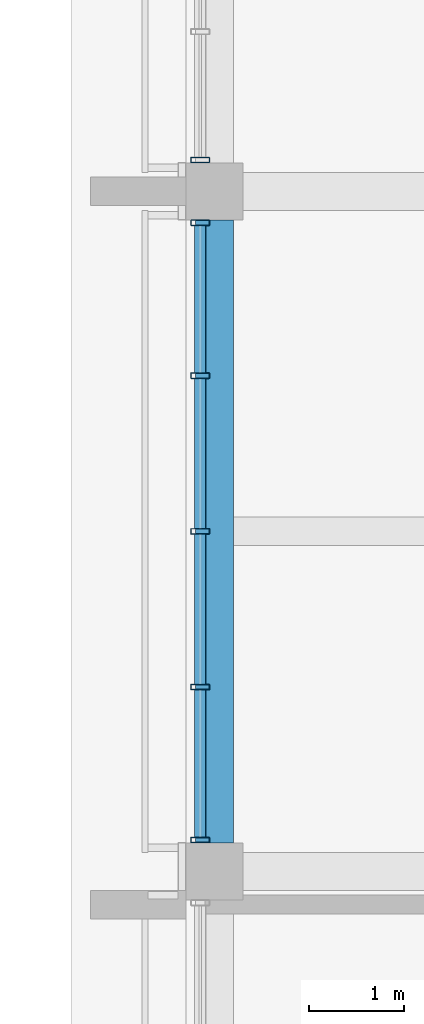
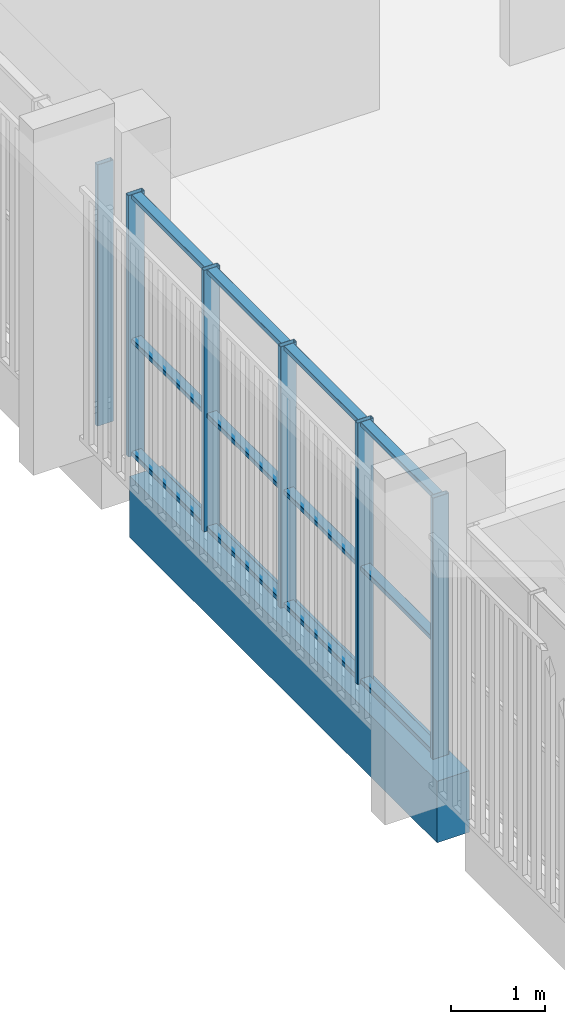
# One storey, part 30 of 92: 18 members, 1 beam, 2 elements without a shape of their own.
"""IFC4 building model written with IfcOpenShell, lengths in metres."""

from ifc_helpers import new_model, si_unit, direction, frame, origin, origin_2d, place, context, subcontext, project, spatial, rectangle, hollow_rectangle, extrude, material, material_profile, profile_set, type_object, element, aggregate, save


model = new_model("IFC4")

# Units and contexts
model_context = context("Model", 3, precision=1e-05, world=origin(), true_north=direction((0.0, 1.0)))
body_context = subcontext(model_context, "Body", "Model", "MODEL_VIEW")
ifc_project = project(units=[si_unit("LENGTHUNIT", "METRE"), si_unit("AREAUNIT", "SQUARE_METRE"), si_unit("VOLUMEUNIT", "CUBIC_METRE"), si_unit("PLANEANGLEUNIT", "RADIAN"), si_unit("MASSUNIT", "GRAM", prefix="KILO")], contexts=[model_context])

# Site, building, storey
site_placement = place(None, origin())
site = spatial("IfcSite", under=ifc_project, at=site_placement, CompositionType="ELEMENT")
building_placement = place(site_placement, origin())
building = spatial("IfcBuilding", under=site, at=building_placement, Name="Sun Court Science Centre", CompositionType="ELEMENT")
storey_placement = place(building_placement, frame((0.0, 0.0, 11.25)))
storey = spatial("IfcBuildingStorey", under=building, at=storey_placement, Name="L02", CompositionType="ELEMENT", Elevation=11.25)

# Curtain wall, members
ifc_material_1 = material(Name="Aluminium EN AW-6063 T6", Category="aluminium")
curtain_wall_type = type_object("IfcCurtainWallType", Name="Laboratory tall bay curtain wall 1500", PredefinedType="NOTDEFINED", material=ifc_material_1)
curtain_wall_1_placement = place(storey_placement, origin())
curtain_wall_1 = element("IfcCurtainWall", 1, at=curtain_wall_1_placement, inside=storey, type_object=curtain_wall_type, Name="Curtain wall V4 W L02 05", PredefinedType="NOTDEFINED")
ifc_material_2 = material(Name="Aluminium EN AW-6063 T6", Category="aluminium")
ifc_material_profile_1 = material_profile(ifc_material_2, hollow_rectangle(XDim=0.06005859375, YDim=0.199951171875, WallThickness=0.0048828125, InnerFilletRadius=0.0048828125, OuterFilletRadius=0.007568359375, at=origin_2d()), Name="AL 60x200x5")
ifc_profile_set_1 = profile_set([ifc_material_profile_1], Name="Aluminium EN AW-6063 T6")
member_type_1 = type_object("IfcMemberType", Name="Curtain wall mullion AL 60x200", PredefinedType="MULLION", material=ifc_profile_set_1)
member_1_placement = place(storey_placement, frame((78.14990234375, 44.179931640625, 0.0), z_axis=(0.0, 0.0, 1.0), x_axis=(0.0, 1.0, 0.0)))
member_1 = element("IfcMember", 2, at=member_1_placement, type_object=member_type_1, Name="CW2-23 mullion 1", PredefinedType="MULLION", context=body_context, shape_type="SweptSolid", body=[
    extrude(hollow_rectangle(XDim=0.06005859375, YDim=0.199951171875, WallThickness=0.0048828125, InnerFilletRadius=0.0048828125, OuterFilletRadius=0.007568359375, at=origin_2d()), origin(), (0.0, 0.0, 1.0), 3.39990234375),
])
member_2_placement = place(storey_placement, frame((78.14990234375, 45.78759765625, 0.0), z_axis=(0.0, 0.0, 1.0), x_axis=(0.0, 1.0, 0.0)))
member_2 = element("IfcMember", 3, at=member_2_placement, type_object=member_type_1, Name="CW2-23 mullion 2", PredefinedType="MULLION", context=body_context, shape_type="SweptSolid", body=[
    extrude(hollow_rectangle(XDim=0.06005859375, YDim=0.199951171875, WallThickness=0.0048828125, InnerFilletRadius=0.0048828125, OuterFilletRadius=0.007568359375, at=origin_2d()), origin(), (0.0, 0.0, 1.0), 3.39990234375),
])
member_3_placement = place(storey_placement, frame((78.14990234375, 47.425048828125, 0.0), z_axis=(0.0, 0.0, 1.0), x_axis=(0.0, 1.0, 0.0)))
member_3 = element("IfcMember", 4, at=member_3_placement, type_object=member_type_1, Name="CW2-23 mullion 3", PredefinedType="MULLION", context=body_context, shape_type="SweptSolid", body=[
    extrude(hollow_rectangle(XDim=0.06005859375, YDim=0.199951171875, WallThickness=0.0048828125, InnerFilletRadius=0.0048828125, OuterFilletRadius=0.007568359375, at=origin_2d()), origin(), (0.0, 0.0, 1.0), 3.39990234375),
])
member_4_placement = place(storey_placement, frame((78.14990234375, 49.0625, 0.0), z_axis=(0.0, 0.0, 1.0), x_axis=(0.0, 1.0, 0.0)))
member_4 = element("IfcMember", 5, at=member_4_placement, type_object=member_type_1, Name="CW2-23 mullion 4", PredefinedType="MULLION", context=body_context, shape_type="SweptSolid", body=[
    extrude(hollow_rectangle(XDim=0.06005859375, YDim=0.199951171875, WallThickness=0.0048828125, InnerFilletRadius=0.0048828125, OuterFilletRadius=0.007568359375, at=origin_2d()), origin(), (0.0, 0.0, 1.0), 3.39990234375),
])
member_5_placement = place(storey_placement, frame((78.14990234375, 50.669921875, 0.0), z_axis=(0.0, 0.0, 1.0), x_axis=(0.0, 1.0, 0.0)))
member_5 = element("IfcMember", 6, at=member_5_placement, type_object=member_type_1, Name="CW2-23 mullion 5", PredefinedType="MULLION", context=body_context, shape_type="SweptSolid", body=[
    extrude(hollow_rectangle(XDim=0.06005859375, YDim=0.199951171875, WallThickness=0.0048828125, InnerFilletRadius=0.0048828125, OuterFilletRadius=0.007568359375, at=origin_2d()), origin(), (0.0, 0.0, 1.0), 3.39990234375),
])

# Curtain wall, member
curtain_wall_2_placement = place(storey_placement, origin())
curtain_wall_2 = element("IfcCurtainWall", 7, at=curtain_wall_2_placement, inside=storey, type_object=curtain_wall_type, Name="Curtain wall V4 W L02 06", PredefinedType="NOTDEFINED")
member_6_placement = place(storey_placement, frame((78.14990234375, 51.330078125, 0.0), z_axis=(0.0, 0.0, 1.0), x_axis=(0.0, 1.0, 0.0)))
member_6 = element("IfcMember", 8, at=member_6_placement, type_object=member_type_1, Name="CW2-24 mullion 1", PredefinedType="MULLION", context=body_context, shape_type="SweptSolid", body=[
    extrude(hollow_rectangle(XDim=0.06005859375, YDim=0.199951171875, WallThickness=0.0048828125, InnerFilletRadius=0.0048828125, OuterFilletRadius=0.007568359375, at=origin_2d()), origin(), (0.0, 0.0, 1.0), 3.39990234375),
])
aggregate(curtain_wall_2, [member_6])

# Member
ifc_material_3 = material(Name="Aluminium EN AW-6063 T6", Category="aluminium")
ifc_material_profile_2 = material_profile(ifc_material_3, hollow_rectangle(XDim=0.06005859375, YDim=0.1201171875, WallThickness=0.00390625, InnerFilletRadius=0.00390625, OuterFilletRadius=0.006103515625, at=origin_2d()), Name="AL 60x120x4")
ifc_profile_set_2 = profile_set([ifc_material_profile_2], Name="Aluminium EN AW-6063 T6")
member_type_2 = type_object("IfcMemberType", Name="Curtain wall transom AL 60x120", PredefinedType="USERDEFINED", material=ifc_profile_set_2)
member_7_placement = place(storey_placement, frame((78.14990234375, 44.2099609375, 0.030029296875), z_axis=(0.0, 1.0, 0.0), x_axis=(0.0, 0.0, 1.0)))
member_7 = element("IfcMember", 9, at=member_7_placement, type_object=member_type_2, Name="CW2-23 transom 1.1", ObjectType="TRANSOM", PredefinedType="USERDEFINED", context=body_context, shape_type="SweptSolid", body=[
    extrude(hollow_rectangle(XDim=0.06005859375, YDim=0.1201171875, WallThickness=0.00390625, InnerFilletRadius=0.00390625, OuterFilletRadius=0.006103515625, at=origin_2d()), origin(), (0.0, 0.0, 1.0), 1.547607421875),
])

member_8_placement = place(storey_placement, frame((78.14990234375, 45.8173828125, 0.030029296875), z_axis=(0.0, 1.0, 0.0), x_axis=(0.0, 0.0, 1.0)))
member_8 = element("IfcMember", 10, at=member_8_placement, type_object=member_type_2, Name="CW2-23 transom 2.1", ObjectType="TRANSOM", PredefinedType="USERDEFINED", context=body_context, shape_type="SweptSolid", body=[
    extrude(hollow_rectangle(XDim=0.06005859375, YDim=0.1201171875, WallThickness=0.00390625, InnerFilletRadius=0.00390625, OuterFilletRadius=0.006103515625, at=origin_2d()), origin(), (0.0, 0.0, 1.0), 1.57763671875),
])

member_9_placement = place(storey_placement, frame((78.14990234375, 47.455078125, 0.030029296875), z_axis=(0.0, 1.0, 0.0), x_axis=(0.0, 0.0, 1.0)))
member_9 = element("IfcMember", 11, at=member_9_placement, type_object=member_type_2, Name="CW2-23 transom 3.1", ObjectType="TRANSOM", PredefinedType="USERDEFINED", context=body_context, shape_type="SweptSolid", body=[
    extrude(hollow_rectangle(XDim=0.06005859375, YDim=0.1201171875, WallThickness=0.00390625, InnerFilletRadius=0.00390625, OuterFilletRadius=0.006103515625, at=origin_2d()), origin(), (0.0, 0.0, 1.0), 1.577392578125),
])

member_10_placement = place(storey_placement, frame((78.14990234375, 49.092529296875, 0.030029296875), z_axis=(0.0, 1.0, 0.0), x_axis=(0.0, 0.0, 1.0)))
member_10 = element("IfcMember", 12, at=member_10_placement, type_object=member_type_2, Name="CW2-23 transom 4.1", ObjectType="TRANSOM", PredefinedType="USERDEFINED", context=body_context, shape_type="SweptSolid", body=[
    extrude(hollow_rectangle(XDim=0.06005859375, YDim=0.1201171875, WallThickness=0.00390625, InnerFilletRadius=0.00390625, OuterFilletRadius=0.006103515625, at=origin_2d()), origin(), (0.0, 0.0, 1.0), 1.54736328125),
])

member_11_placement = place(storey_placement, frame((78.14990234375, 44.2099609375, 1.5), z_axis=(0.0, 1.0, 0.0), x_axis=(0.0, 0.0, 1.0)))
member_11 = element("IfcMember", 13, at=member_11_placement, type_object=member_type_2, Name="CW2-23 transom 1.2", ObjectType="TRANSOM", PredefinedType="USERDEFINED", context=body_context, shape_type="SweptSolid", body=[
    extrude(hollow_rectangle(XDim=0.06005859375, YDim=0.1201171875, WallThickness=0.00390625, InnerFilletRadius=0.00390625, OuterFilletRadius=0.006103515625, at=origin_2d()), origin(), (0.0, 0.0, 1.0), 1.547607421875),
])

member_12_placement = place(storey_placement, frame((78.14990234375, 45.8173828125, 1.5), z_axis=(0.0, 1.0, 0.0), x_axis=(0.0, 0.0, 1.0)))
member_12 = element("IfcMember", 14, at=member_12_placement, type_object=member_type_2, Name="CW2-23 transom 2.2", ObjectType="TRANSOM", PredefinedType="USERDEFINED", context=body_context, shape_type="SweptSolid", body=[
    extrude(hollow_rectangle(XDim=0.06005859375, YDim=0.1201171875, WallThickness=0.00390625, InnerFilletRadius=0.00390625, OuterFilletRadius=0.006103515625, at=origin_2d()), origin(), (0.0, 0.0, 1.0), 1.57763671875),
])

member_13_placement = place(storey_placement, frame((78.14990234375, 47.455078125, 1.5), z_axis=(0.0, 1.0, 0.0), x_axis=(0.0, 0.0, 1.0)))
member_13 = element("IfcMember", 15, at=member_13_placement, type_object=member_type_2, Name="CW2-23 transom 3.2", ObjectType="TRANSOM", PredefinedType="USERDEFINED", context=body_context, shape_type="SweptSolid", body=[
    extrude(hollow_rectangle(XDim=0.06005859375, YDim=0.1201171875, WallThickness=0.00390625, InnerFilletRadius=0.00390625, OuterFilletRadius=0.006103515625, at=origin_2d()), origin(), (0.0, 0.0, 1.0), 1.577392578125),
])

member_14_placement = place(storey_placement, frame((78.14990234375, 49.092529296875, 1.5), z_axis=(0.0, 1.0, 0.0), x_axis=(0.0, 0.0, 1.0)))
member_14 = element("IfcMember", 16, at=member_14_placement, type_object=member_type_2, Name="CW2-23 transom 4.2", ObjectType="TRANSOM", PredefinedType="USERDEFINED", context=body_context, shape_type="SweptSolid", body=[
    extrude(hollow_rectangle(XDim=0.06005859375, YDim=0.1201171875, WallThickness=0.00390625, InnerFilletRadius=0.00390625, OuterFilletRadius=0.006103515625, at=origin_2d()), origin(), (0.0, 0.0, 1.0), 1.54736328125),
])

member_15_placement = place(storey_placement, frame((78.14990234375, 44.2099609375, 3.3701171875), z_axis=(0.0, 1.0, 0.0), x_axis=(0.0, 0.0, 1.0)))
member_15 = element("IfcMember", 17, at=member_15_placement, type_object=member_type_2, Name="CW2-23 transom 1.3", ObjectType="TRANSOM", PredefinedType="USERDEFINED", context=body_context, shape_type="SweptSolid", body=[
    extrude(hollow_rectangle(XDim=0.06005859375, YDim=0.1201171875, WallThickness=0.00390625, InnerFilletRadius=0.00390625, OuterFilletRadius=0.006103515625, at=origin_2d()), origin(), (0.0, 0.0, 1.0), 1.547607421875),
])

member_16_placement = place(storey_placement, frame((78.14990234375, 45.8173828125, 3.3701171875), z_axis=(0.0, 1.0, 0.0), x_axis=(0.0, 0.0, 1.0)))
member_16 = element("IfcMember", 18, at=member_16_placement, type_object=member_type_2, Name="CW2-23 transom 2.3", ObjectType="TRANSOM", PredefinedType="USERDEFINED", context=body_context, shape_type="SweptSolid", body=[
    extrude(hollow_rectangle(XDim=0.06005859375, YDim=0.1201171875, WallThickness=0.00390625, InnerFilletRadius=0.00390625, OuterFilletRadius=0.006103515625, at=origin_2d()), origin(), (0.0, 0.0, 1.0), 1.57763671875),
])

member_17_placement = place(storey_placement, frame((78.14990234375, 47.455078125, 3.3701171875), z_axis=(0.0, 1.0, 0.0), x_axis=(0.0, 0.0, 1.0)))
member_17 = element("IfcMember", 19, at=member_17_placement, type_object=member_type_2, Name="CW2-23 transom 3.3", ObjectType="TRANSOM", PredefinedType="USERDEFINED", context=body_context, shape_type="SweptSolid", body=[
    extrude(hollow_rectangle(XDim=0.06005859375, YDim=0.1201171875, WallThickness=0.00390625, InnerFilletRadius=0.00390625, OuterFilletRadius=0.006103515625, at=origin_2d()), origin(), (0.0, 0.0, 1.0), 1.577392578125),
])

member_18_placement = place(storey_placement, frame((78.14990234375, 49.092529296875, 3.3701171875), z_axis=(0.0, 1.0, 0.0), x_axis=(0.0, 0.0, 1.0)))
member_18 = element("IfcMember", 20, at=member_18_placement, type_object=member_type_2, Name="CW2-23 transom 4.3", ObjectType="TRANSOM", PredefinedType="USERDEFINED", context=body_context, shape_type="SweptSolid", body=[
    extrude(hollow_rectangle(XDim=0.06005859375, YDim=0.1201171875, WallThickness=0.00390625, InnerFilletRadius=0.00390625, OuterFilletRadius=0.006103515625, at=origin_2d()), origin(), (0.0, 0.0, 1.0), 1.54736328125),
])

aggregate(curtain_wall_1, [member_1, member_2, member_3, member_4, member_5, member_7, member_8, member_9, member_10, member_11, member_12, member_13, member_14, member_15, member_16, member_17, member_18])

# Beam
ifc_material_4 = material(Name="Concrete C25/30", Category="concrete")
ifc_material_profile_3 = material_profile(ifc_material_4, rectangle(XDim=0.39990234375, YDim=0.800048828125, at=origin_2d()), Name="RC 400x800")
ifc_profile_set_3 = profile_set([ifc_material_profile_3], Name="Concrete C25/30")
beam_type = type_object("IfcBeamType", Name="RC girder 400x800", PredefinedType="BEAM", material=ifc_profile_set_3)
beam_placement = place(storey_placement, frame((78.300048828125, 44.14990234375, -0.699951171875), z_axis=(0.0, 1.0, 0.0), x_axis=(-1.0, 0.0, 0.0)))
element("IfcBeam", 21, at=beam_placement, inside=storey, type_object=beam_type, Name="Girder L02 line 1", PredefinedType="BEAM", context=body_context, shape_type="SweptSolid", body=[
    extrude(rectangle(XDim=0.39990234375, YDim=0.800048828125, at=origin_2d()), origin(), (0.0, 0.0, 1.0), 6.550048828125),
])

save(model, "model.ifc")
